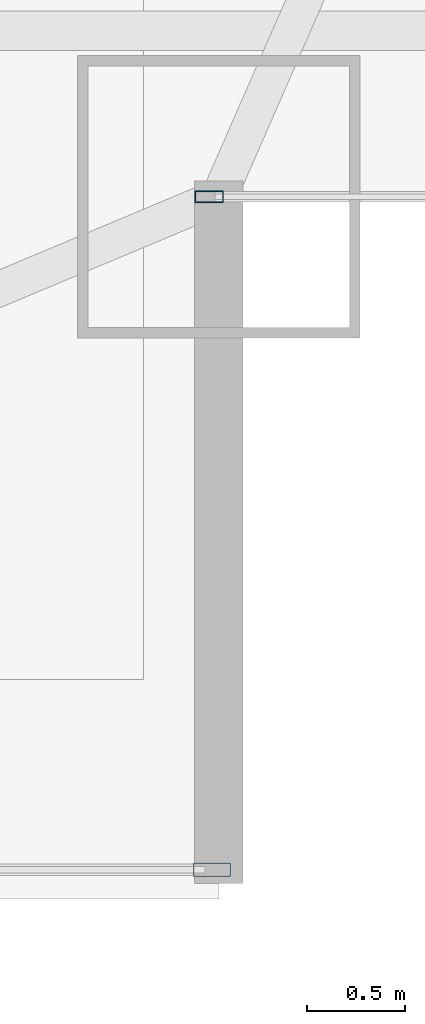
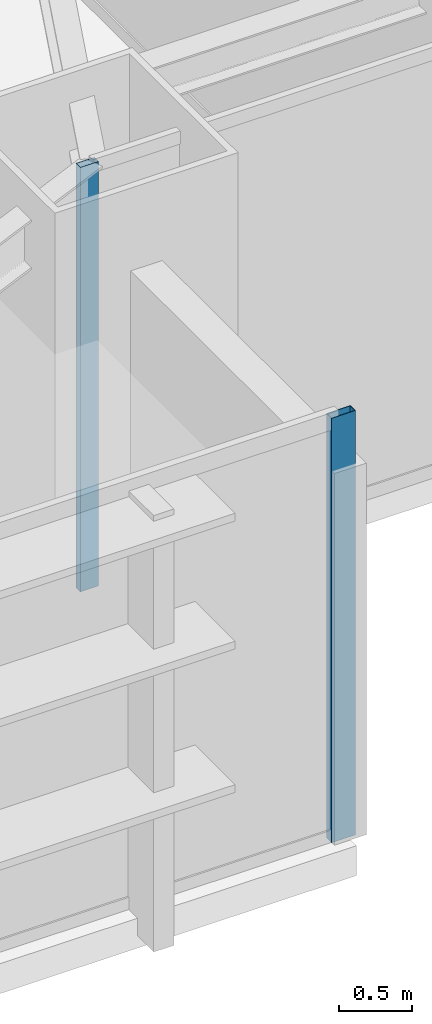
# One storey, part 14 of 33: 2 members, 2 elements without a shape of their own.
"""IFC4 building model written with IfcOpenShell, lengths in metres."""

from ifc_helpers import new_model, si_unit, direction, frame, origin, origin_2d, place, context, subcontext, project, spatial, hollow_rectangle, extrude, source, transform, mapped, material, layer, layer_set, material_profile, profile_set, type_object, type_shapes, element, aggregate, save


model = new_model("IFC4")

# Units and contexts
model_context = context("Model", 3, precision=1e-05, world=origin(), true_north=direction((0.0, 1.0)))
body_context = subcontext(model_context, "Body", "Model", "MODEL_VIEW")
ifc_project = project(units=[si_unit("LENGTHUNIT", "METRE"), si_unit("AREAUNIT", "SQUARE_METRE"), si_unit("VOLUMEUNIT", "CUBIC_METRE"), si_unit("PLANEANGLEUNIT", "RADIAN"), si_unit("MASSUNIT", "GRAM", prefix="KILO")], contexts=[model_context])

# Site, building, storey
site_placement = place(None, origin())
site = spatial("IfcSite", under=ifc_project, at=site_placement, CompositionType="ELEMENT")
building_placement = place(site_placement, origin())
building = spatial("IfcBuilding", under=site, at=building_placement, Name="Varnel Quay Broadcast Tower", CompositionType="ELEMENT")
storey_placement = place(building_placement, frame((0.0, 0.0, 129.60009765625)))
storey = spatial("IfcBuildingStorey", under=building, at=storey_placement, Name="L31", CompositionType="ELEMENT", Elevation=129.60009765625)

# Curtain wall, member
ifc_material = material(Name="Anodised Bronze Aluminium 6063-T6", Category="aluminium")
ifc_layer_1 = layer(ifc_material, 0.18994140625, Name="Anodised Bronze Aluminium 6063-T6")
ifc_layer_set_1 = layer_set([ifc_layer_1], Name="Anodised Bronze Aluminium 6063-T6")
curtain_wall_type_1 = type_object("IfcCurtainWallType", Name="CW_LowerTower", PredefinedType="NOTDEFINED", material=ifc_layer_set_1)
curtain_wall_1_placement = place(storey_placement, origin())
curtain_wall_1 = element("IfcCurtainWall", 1, at=curtain_wall_1_placement, inside=storey, type_object=curtain_wall_type_1, Name="L31 South Unitised Curtain Wall 1", PredefinedType="NOTDEFINED")
ifc_material_profile_1 = material_profile(ifc_material, hollow_rectangle(XDim=0.070068359375, YDim=0.18994140625, WallThickness=0.00390625, at=origin_2d()), Name="ALU70X190X4")
ifc_profile_set_1 = profile_set([ifc_material_profile_1], Name="Anodised Bronze Aluminium 6063-T6")
member_type_1 = type_object("IfcMemberType", Name="Mull_CWS-02", PredefinedType="MULLION", material=ifc_profile_set_1)
shared_shape_1 = source(origin(), body_context, "Body", "SweptSolid", [
    extrude(hollow_rectangle(XDim=0.070068359375, YDim=0.18994140625, WallThickness=0.00390625, at=origin_2d()), origin(), (0.0, 0.0, 1.0), 3.5498046875),
])
type_shapes(member_type_1, [shared_shape_1])
member_1_placement = place(storey_placement, frame((59.864990234375, 4.35009765625, 0.0), z_axis=(0.0, 0.0, 1.0), x_axis=(0.0, 1.0, 0.0)))
member_1 = element("IfcMember", 2, at=member_1_placement, type_object=member_type_1, Name="CWS-02 mullion 5", PredefinedType="MULLION", context=body_context, shape_type="MappedRepresentation", body=[
    mapped(shared_shape_1, transform((0.0, 0.0, 0.0), x_axis=(1.0, 0.0, 0.0), y_axis=(0.0, 1.0, 0.0), z_axis=(0.0, 0.0, 1.0), scale=1.0)),
])
aggregate(curtain_wall_1, [member_1])

ifc_layer_2 = layer(ifc_material, 0.18994140625, Name="Anodised Bronze Aluminium 6063-T6")
ifc_layer_set_2 = layer_set([ifc_layer_2], Name="Anodised Bronze Aluminium 6063-T6")
curtain_wall_type_2 = type_object("IfcCurtainWallType", Name="CW_NotchCorner", PredefinedType="NOTDEFINED", material=ifc_layer_set_2)
curtain_wall_2_placement = place(storey_placement, origin())
curtain_wall_2 = element("IfcCurtainWall", 3, at=curtain_wall_2_placement, inside=storey, type_object=curtain_wall_type_2, Name="L31 SE Notch Curtain Wall", PredefinedType="NOTDEFINED")
ifc_material_profile_2 = material_profile(ifc_material, hollow_rectangle(XDim=0.06005859375, YDim=0.14501953125, WallThickness=0.00341796875, at=origin_2d()), Name="ALU60X145X3.5")
ifc_profile_set_2 = profile_set([ifc_material_profile_2], Name="Anodised Bronze Aluminium 6063-T6")
member_type_2 = type_object("IfcMemberType", Name="Mull_CWS-04", PredefinedType="MULLION", material=ifc_profile_set_2)
shared_shape_2 = source(origin(), body_context, "Body", "SweptSolid", [
    extrude(hollow_rectangle(XDim=0.06005859375, YDim=0.14501953125, WallThickness=0.00341796875, at=origin_2d()), origin(), (0.0, 0.0, 1.0), 3.5498046875),
])
type_shapes(member_type_2, [shared_shape_2])
member_2_placement = place(storey_placement, frame((59.85009765625, 7.800048828125, 0.0), z_axis=(0.0, 0.0, 1.0), x_axis=(0.0, 1.0, 0.0)))
member_2 = element("IfcMember", 4, at=member_2_placement, type_object=member_type_2, Name="CWS-04 mullion 1", PredefinedType="MULLION", context=body_context, shape_type="MappedRepresentation", body=[
    mapped(shared_shape_2, transform((0.0, 0.0, 0.0), x_axis=(1.0, 0.0, 0.0), y_axis=(0.0, 1.0, 0.0), z_axis=(0.0, 0.0, 1.0), scale=1.0)),
])
aggregate(curtain_wall_2, [member_2])

save(model, "model.ifc")
